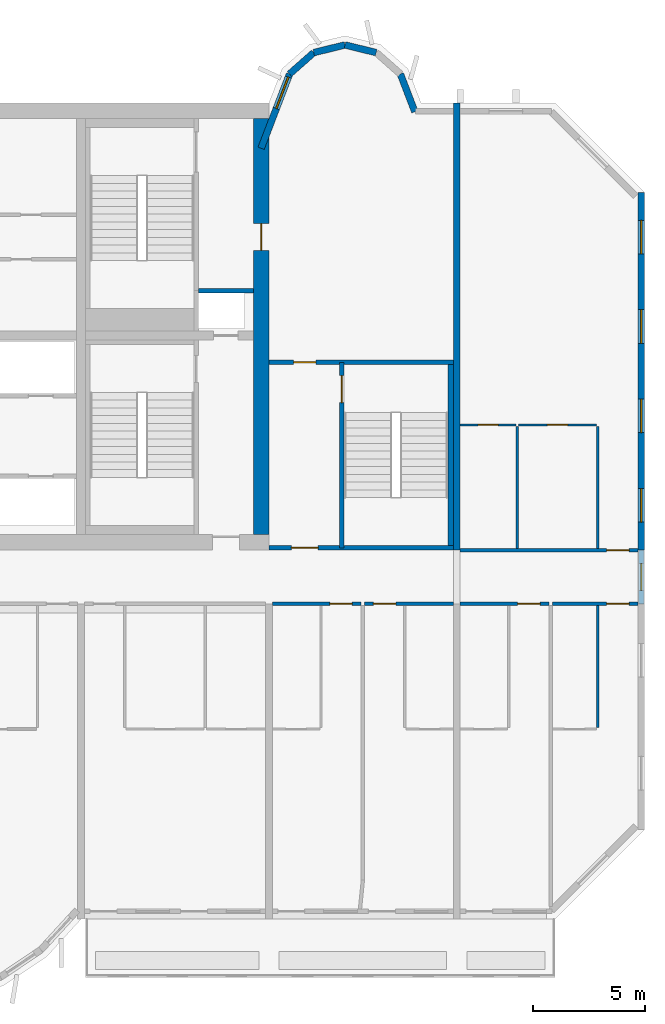
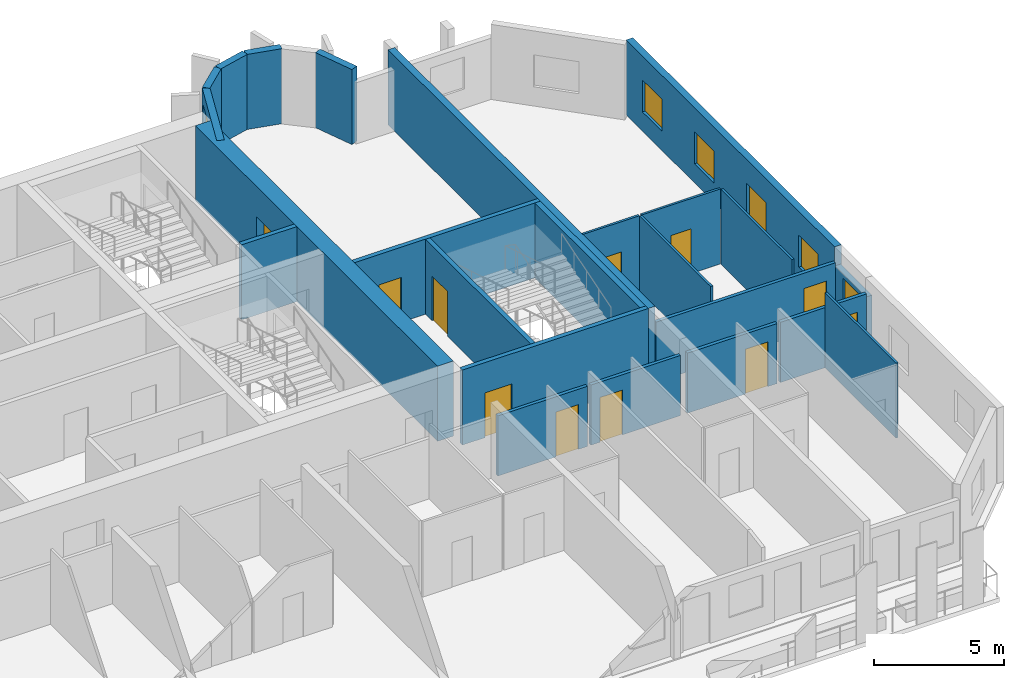
# One storey, part 9 of 13: 24 walls, 11 doors, 6 windows, 17 openings.
"""IFC4 building model written with IfcOpenShell, lengths in metres."""

from ifc_helpers import new_model, si_unit, direction, frame, frame_2d, origin, place, context, subcontext, project, spatial, rectangle, extrude, source, transform, mapped, material, layer, layer_set, type_object, element, fill, save


model = new_model("IFC4")

# Units and contexts
model_context = context("Model", 3, precision=1e-05, world=origin(), true_north=direction((0.0, 1.0)))
body_context = subcontext(model_context, "Body", "Model", "MODEL_VIEW")
ifc_project = project(units=[si_unit("LENGTHUNIT", "METRE"), si_unit("AREAUNIT", "SQUARE_METRE"), si_unit("VOLUMEUNIT", "CUBIC_METRE"), si_unit("PLANEANGLEUNIT", "RADIAN"), si_unit("MASSUNIT", "GRAM", prefix="KILO")], contexts=[model_context])

# Site, building, storey
site_placement = place(None, origin())
site = spatial("IfcSite", under=ifc_project, at=site_placement, CompositionType="ELEMENT")
building_placement = place(site_placement, origin())
building = spatial("IfcBuilding", under=site, at=building_placement, Name="Vanashikhar Sky Hotel", CompositionType="ELEMENT")
storey_placement = place(building_placement, frame((0.0, 0.0, 189.60009765625)))
storey = spatial("IfcBuildingStorey", under=building, at=storey_placement, Name="L46", CompositionType="ELEMENT", Elevation=189.60009765625)

# Wall, opening, door
ifc_material_1 = material(Name="Concrete M60", Category="concrete")
ifc_layer_1 = layer(ifc_material_1, 0.699951171875)
ifc_layer_set_1 = layer_set([ifc_layer_1], Name="RC core shell wall 700 Concrete M60")
wall_type_1 = type_object("IfcWallType", Name="RC core shell wall 700 Concrete M60", PredefinedType="SHEAR", material=ifc_layer_set_1)
shared_shape_1 = source(origin(), body_context, "Body", "SweptSolid", [
    extrude(rectangle(XDim=18.60009765625, YDim=0.699951171875, at=frame_2d((9.300048828125, 0.0))), origin(), (0.0, 0.0, 1.0), 3.52001953125),
])
wall_1_placement = place(storey_placement, frame((75.25, 22.699951171875, 0.0), z_axis=(0.0, 0.0, 1.0), x_axis=(0.0, 1.0, 0.0)))
wall_1 = element("IfcWall", 1, at=wall_1_placement, inside=storey, type_object=wall_type_1, Name="KW-L46-KE", PredefinedType="SHEAR", context=body_context, shape_type="MappedRepresentation", body=[
    mapped(shared_shape_1, transform((0.0, 0.0, 0.0), scale=1.0)),
])
shared_shape_2 = source(origin(), body_context, "Body", "SweptSolid", [
    extrude(rectangle(XDim=1.199951171875, YDim=2.10009765625, at=frame_2d((0.60009765625, 1.050048828125))), frame((0.0, 0.35986328125, 0.0), z_axis=(0.0, -1.0, 0.0), x_axis=(1.0, 0.0, 0.0)), (0.0, 0.0, 1.0), 0.719970703125),
])
opening_1_placement = place(wall_1_placement, frame((12.699951171875, 0.0, 0.0)))
opening_1 = element("IfcOpeningElement", 2, at=opening_1_placement, cuts=wall_1, Name="Opening DC-4-D", PredefinedType="OPENING", context=body_context, shape_type="MappedRepresentation", body=[
    mapped(shared_shape_2, transform((0.0, 0.0, 0.0), scale=1.0)),
])
ifc_material_2 = material(Name="Steel", Category="steel")
door_type_1 = type_object("IfcDoorType", Name="Service door 1200 FD120", OperationType="NOTDEFINED", PredefinedType="DOOR", material=ifc_material_2)
shared_shape_3 = source(origin(), body_context, "Body", "SweptSolid", [
    extrude(rectangle(XDim=1.199951171875, YDim=2.10009765625, at=frame_2d((0.60009765625, 1.050048828125))), frame((0.0, 0.02490234375, 0.0), z_axis=(0.0, -1.0, 0.0), x_axis=(1.0, 0.0, 0.0)), (0.0, 0.0, 1.0), 0.050048828125),
])
door_1_placement = place(opening_1_placement, origin())
door_1 = element("IfcDoor", 3, at=door_1_placement, inside=storey, type_object=door_type_1, Name="Service door 1200 FD120", OperationType="SINGLE_SWING_RIGHT", OverallHeight=2.10009765625, OverallWidth=1.199951171875, PredefinedType="DOOR", context=body_context, shape_type="MappedRepresentation", body=[
    mapped(shared_shape_3, transform((0.0, 0.0, 0.0), scale=1.0)),
])
fill(opening_1, door_1)

# Wall, openings, windows
ifc_layer_2 = layer(ifc_material_1, 0.300048828125)
ifc_layer_set_2 = layer_set([ifc_layer_2], Name="RC shear wall 300 Concrete M60")
wall_type_2 = type_object("IfcWallType", Name="RC shear wall 300 Concrete M60", PredefinedType="SHEAR", material=ifc_layer_set_2)
shared_shape_4 = source(origin(), body_context, "Body", "SweptSolid", [
    extrude(rectangle(XDim=16.0, YDim=0.300048828125, at=frame_2d((8.0, 0.0))), origin(), (0.0, 0.0, 1.0), 3.52001953125),
])
wall_2_placement = place(storey_placement, frame((92.25, 22.0, 0.0), z_axis=(0.0, 0.0, 1.0), x_axis=(0.0, 1.0, 0.0)))
wall_2 = element("IfcWall", 4, at=wall_2_placement, inside=storey, type_object=wall_type_2, Name="CW-L46-XW12-2", PredefinedType="SHEAR", context=body_context, shape_type="MappedRepresentation", body=[
    mapped(shared_shape_4, transform((0.0, 0.0, 0.0), scale=1.0)),
])
shared_shape_5 = source(origin(), body_context, "Body", "SweptSolid", [
    extrude(rectangle(XDim=1.5, YDim=1.5, at=frame_2d((0.75, 0.75))), frame((0.0, 0.16015625, 0.0), z_axis=(0.0, -1.0, 0.0), x_axis=(1.0, 0.0, 0.0)), (0.0, 0.0, 1.0), 0.320068359375),
])
opening_2_placement = place(wall_2_placement, frame((1.25, 0.0, 0.89990234375)))
opening_2 = element("IfcOpeningElement", 5, at=opening_2_placement, cuts=wall_2, Name="Opening WN-1", PredefinedType="OPENING", context=body_context, shape_type="MappedRepresentation", body=[
    mapped(shared_shape_5, transform((0.0, 0.0, 0.0), scale=1.0)),
])
opening_3_placement = place(wall_2_placement, frame((5.25, 0.0, 0.89990234375)))
opening_3 = element("IfcOpeningElement", 6, at=opening_3_placement, cuts=wall_2, Name="Opening WN-1", PredefinedType="OPENING", context=body_context, shape_type="MappedRepresentation", body=[
    mapped(shared_shape_5, transform((0.0, 0.0, 0.0), scale=1.0)),
])
opening_4_placement = place(wall_2_placement, frame((9.25, 0.0, 0.89990234375)))
opening_4 = element("IfcOpeningElement", 7, at=opening_4_placement, cuts=wall_2, Name="Opening WN-1", PredefinedType="OPENING", context=body_context, shape_type="MappedRepresentation", body=[
    mapped(shared_shape_5, transform((0.0, 0.0, 0.0), scale=1.0)),
])
opening_5_placement = place(wall_2_placement, frame((13.25, 0.0, 0.89990234375)))
opening_5 = element("IfcOpeningElement", 8, at=opening_5_placement, cuts=wall_2, Name="Opening WN-1", PredefinedType="OPENING", context=body_context, shape_type="MappedRepresentation", body=[
    mapped(shared_shape_5, transform((0.0, 0.0, 0.0), scale=1.0)),
])
ifc_material_3 = material(Name="Glass", Category="glass")
window_type_1 = type_object("IfcWindowType", Name="Window 1500 x 1500", PartitioningType="SINGLE_PANEL", PredefinedType="WINDOW", material=ifc_material_3)
shared_shape_6 = source(origin(), body_context, "Body", "SweptSolid", [
    extrude(rectangle(XDim=1.5, YDim=1.5, at=frame_2d((0.75, 0.75))), frame((0.0, 0.030029296875, 0.0), z_axis=(0.0, -1.0, 0.0), x_axis=(1.0, 0.0, 0.0)), (0.0, 0.0, 1.0), 0.06005859375),
])
window_1_placement = place(opening_2_placement, origin())
window_1 = element("IfcWindow", 9, at=window_1_placement, inside=storey, type_object=window_type_1, Name="Window WN-1", OverallHeight=1.5, OverallWidth=1.5, PartitioningType="SINGLE_PANEL", PredefinedType="WINDOW", context=body_context, shape_type="MappedRepresentation", body=[
    mapped(shared_shape_6, transform((0.0, 0.0, 0.0), scale=1.0)),
])
fill(opening_2, window_1)
window_2_placement = place(opening_3_placement, origin())
window_2 = element("IfcWindow", 10, at=window_2_placement, inside=storey, type_object=window_type_1, Name="Window WN-1", OverallHeight=1.5, OverallWidth=1.5, PartitioningType="SINGLE_PANEL", PredefinedType="WINDOW", context=body_context, shape_type="MappedRepresentation", body=[
    mapped(shared_shape_6, transform((0.0, 0.0, 0.0), scale=1.0)),
])
fill(opening_3, window_2)
window_3_placement = place(opening_4_placement, origin())
window_3 = element("IfcWindow", 11, at=window_3_placement, inside=storey, type_object=window_type_1, Name="Window WN-1", OverallHeight=1.5, OverallWidth=1.5, PartitioningType="SINGLE_PANEL", PredefinedType="WINDOW", context=body_context, shape_type="MappedRepresentation", body=[
    mapped(shared_shape_6, transform((0.0, 0.0, 0.0), scale=1.0)),
])
fill(opening_4, window_3)
window_4_placement = place(opening_5_placement, origin())
window_4 = element("IfcWindow", 12, at=window_4_placement, inside=storey, type_object=window_type_1, Name="Window WN-1", OverallHeight=1.5, OverallWidth=1.5, PartitioningType="SINGLE_PANEL", PredefinedType="WINDOW", context=body_context, shape_type="MappedRepresentation", body=[
    mapped(shared_shape_6, transform((0.0, 0.0, 0.0), scale=1.0)),
])
fill(opening_5, window_4)

# Wall
shared_shape_7 = source(origin(), body_context, "Body", "SweptSolid", [
    extrude(rectangle(XDim=20.0, YDim=0.300048828125, at=frame_2d((10.0, 0.0))), origin(), (0.0, 0.0, 1.0), 3.52001953125),
])
wall_3_placement = place(storey_placement, frame((84.0, 22.0, 0.0), z_axis=(0.0, 0.0, 1.0), x_axis=(0.0, 1.0, 0.0)))
element("IfcWall", 13, at=wall_3_placement, inside=storey, type_object=wall_type_2, Name="CW-L46-XW11-2", PredefinedType="SHEAR", context=body_context, shape_type="MappedRepresentation", body=[
    mapped(shared_shape_7, transform((0.0, 0.0, 0.0), scale=1.0)),
])

# Wall, opening, window
ifc_material_4 = material(Name="Concrete M50", Category="concrete")
ifc_layer_3 = layer(ifc_material_4, 0.300048828125)
ifc_layer_set_3 = layer_set([ifc_layer_3], Name="Lobe wall 300")
wall_type_3 = type_object("IfcWallType", Name="Lobe wall 300", PredefinedType="SOLIDWALL", material=ifc_layer_set_3)
shared_shape_8 = source(origin(), body_context, "Body", "SweptSolid", [
    extrude(rectangle(XDim=3.55908203125, YDim=0.300048828125, at=frame_2d((1.779541015625, 0.0))), origin(), (0.0, 0.0, 1.0), 3.52001953125),
])
wall_4_placement = place(storey_placement, frame((76.5234375, 43.2919921875, 0.0), z_axis=(0.0, 0.0, 1.0), x_axis=(-0.35779745313, -0.933799219604, 0.0)))
wall_4 = element("IfcWall", 14, at=wall_4_placement, inside=storey, type_object=wall_type_3, Name="Lobe wall", PredefinedType="SOLIDWALL", context=body_context, shape_type="MappedRepresentation", body=[
    mapped(shared_shape_8, transform((0.0, 0.0, 0.0), scale=1.0)),
])
shared_shape_9 = source(origin(), body_context, "Body", "SweptSolid", [
    extrude(rectangle(XDim=1.5, YDim=2.0, at=frame_2d((0.75, 1.0))), frame((0.0, 0.16015625, 0.0), z_axis=(0.0, -1.0, 0.0), x_axis=(1.0, 0.0, 0.0)), (0.0, 0.0, 1.0), 0.320068359375),
])
opening_6_placement = place(wall_4_placement, frame((0.156005859375, 0.0, 0.89990234375)))
opening_6 = element("IfcOpeningElement", 15, at=opening_6_placement, cuts=wall_4, Name="Opening WN-2", PredefinedType="OPENING", context=body_context, shape_type="MappedRepresentation", body=[
    mapped(shared_shape_9, transform((0.0, 0.0, 0.0), scale=1.0)),
])
window_type_2 = type_object("IfcWindowType", Name="Lobe window 1500 x 2000", PartitioningType="SINGLE_PANEL", PredefinedType="WINDOW", material=ifc_material_3)
shared_shape_10 = source(origin(), body_context, "Body", "SweptSolid", [
    extrude(rectangle(XDim=1.5, YDim=2.0, at=frame_2d((0.75, 1.0))), frame((0.0, 0.030029296875, 0.0), z_axis=(0.0, -1.0, 0.0), x_axis=(1.0, 0.0, 0.0)), (0.0, 0.0, 1.0), 0.06005859375),
])
window_5_placement = place(opening_6_placement, origin())
window_5 = element("IfcWindow", 16, at=window_5_placement, inside=storey, type_object=window_type_2, Name="Window WN-2", OverallHeight=2.0, OverallWidth=1.5, PartitioningType="SINGLE_PANEL", PredefinedType="WINDOW", context=body_context, shape_type="MappedRepresentation", body=[
    mapped(shared_shape_10, transform((0.0, 0.0, 0.0), scale=1.0)),
])
fill(opening_6, window_5)

# Walls
shared_shape_11 = source(origin(), body_context, "Body", "SweptSolid", [
    extrude(rectangle(XDim=1.438720703125, YDim=0.300048828125, at=frame_2d((0.71923828125, 0.0))), origin(), (0.0, 0.0, 1.0), 3.52001953125),
])
for number, where, z_axis, x_axis, name in (
    (17, (80.397216796875, 44.2451171875, 0.0), (0.0, 0.0, 1.0), (-0.971161932466, 0.238420848351, 0.0), "Lobe wall"),
    (18, (79.0, 44.588134765625, 0.0), (0.0, 0.0, 1.0), (-0.971161932466, -0.238420848351, 0.0), "Lobe wall"),
):
    element("IfcWall", number, at=place(storey_placement, frame(where, z_axis=z_axis, x_axis=x_axis)), inside=storey, type_object=wall_type_3, Name=name, PredefinedType="SOLIDWALL", context=body_context, shape_type="MappedRepresentation", body=[
        mapped(shared_shape_11, transform((0.0, 0.0, 0.0), scale=1.0)),
    ])
shared_shape_12 = source(origin(), body_context, "Body", "SweptSolid", [
    extrude(rectangle(XDim=1.43994140625, YDim=0.300048828125, at=frame_2d((0.719970703125, 0.0))), origin(), (0.0, 0.0, 1.0), 3.52001953125),
])
wall_5_placement = place(storey_placement, frame((77.602783203125, 44.2451171875, 0.0), z_axis=(0.0, 0.0, 1.0), x_axis=(-0.74957555648, -0.661918790432, 0.0)))
element("IfcWall", 19, at=wall_5_placement, inside=storey, type_object=wall_type_3, Name="Lobe wall", PredefinedType="SOLIDWALL", context=body_context, shape_type="MappedRepresentation", body=[
    mapped(shared_shape_12, transform((0.0, 0.0, 0.0), scale=1.0)),
])
shared_shape_13 = source(origin(), body_context, "Body", "SweptSolid", [
    extrude(rectangle(XDim=1.81201171875, YDim=0.300048828125, at=frame_2d((0.906005859375, 0.0))), origin(), (0.0, 0.0, 1.0), 3.52001953125),
])
wall_6_placement = place(storey_placement, frame((82.125, 41.60009765625, 0.0), z_axis=(0.0, 0.0, 1.0), x_axis=(-0.357877270961, 0.93376863244, 0.0)))
element("IfcWall", 20, at=wall_6_placement, inside=storey, type_object=wall_type_3, Name="Lobe wall", PredefinedType="SOLIDWALL", context=body_context, shape_type="MappedRepresentation", body=[
    mapped(shared_shape_13, transform((0.0, 0.0, 0.0), scale=1.0)),
])

# Wall, opening, window
ifc_layer_4 = layer(ifc_material_4, 0.25)
ifc_layer_set_4 = layer_set([ifc_layer_4], Name="Rear and end board-marked wall 250")
wall_type_4 = type_object("IfcWallType", Name="Rear and end board-marked wall 250", PredefinedType="SOLIDWALL", material=ifc_layer_set_4)
shared_shape_14 = source(origin(), body_context, "Body", "SweptSolid", [
    extrude(rectangle(XDim=2.39990234375, YDim=0.25, at=frame_2d((1.199951171875, 0.0))), origin(), (0.0, 0.0, 1.0), 2.619873046875),
])
wall_7_placement = place(storey_placement, frame((92.25, 19.60009765625, 0.0), z_axis=(0.0, 0.0, 1.0), x_axis=(0.0, 1.0, 0.0)))
wall_7 = element("IfcWall", 21, at=wall_7_placement, inside=storey, type_object=wall_type_4, Name="End corridor infill wall", PredefinedType="SOLIDWALL", context=body_context, shape_type="MappedRepresentation", body=[
    mapped(shared_shape_14, transform((0.0, 0.0, 0.0), scale=1.0)),
])
shared_shape_15 = source(origin(), body_context, "Body", "SweptSolid", [
    extrude(rectangle(XDim=1.199951171875, YDim=1.5, at=frame_2d((0.60009765625, 0.75))), frame((0.0, 0.135009765625, 0.0), z_axis=(0.0, -1.0, 0.0), x_axis=(1.0, 0.0, 0.0)), (0.0, 0.0, 1.0), 0.27001953125),
])
opening_7_placement = place(wall_7_placement, frame((0.60009765625, 0.0, 0.89990234375)))
opening_7 = element("IfcOpeningElement", 22, at=opening_7_placement, cuts=wall_7, Name="Opening WN-3", PredefinedType="OPENING", context=body_context, shape_type="MappedRepresentation", body=[
    mapped(shared_shape_15, transform((0.0, 0.0, 0.0), scale=1.0)),
])
window_type_3 = type_object("IfcWindowType", Name="Corridor end window 1200 x 1500", PartitioningType="SINGLE_PANEL", PredefinedType="WINDOW", material=ifc_material_3)
shared_shape_16 = source(origin(), body_context, "Body", "SweptSolid", [
    extrude(rectangle(XDim=1.199951171875, YDim=1.5, at=frame_2d((0.60009765625, 0.75))), frame((0.0, 0.030029296875, 0.0), z_axis=(0.0, -1.0, 0.0), x_axis=(1.0, 0.0, 0.0)), (0.0, 0.0, 1.0), 0.06005859375),
])
window_6_placement = place(opening_7_placement, origin())
window_6 = element("IfcWindow", 23, at=window_6_placement, inside=storey, type_object=window_type_3, Name="Window WN-3", OverallHeight=1.5, OverallWidth=1.199951171875, PartitioningType="SINGLE_PANEL", PredefinedType="WINDOW", context=body_context, shape_type="MappedRepresentation", body=[
    mapped(shared_shape_16, transform((0.0, 0.0, 0.0), scale=1.0)),
])
fill(opening_7, window_6)

# Wall, opening, door
ifc_layer_5 = layer(ifc_material_4, 0.199951171875)
ifc_layer_set_5 = layer_set([ifc_layer_5], Name="Stair wall 200")
wall_type_5 = type_object("IfcWallType", Name="Stair wall 200", PredefinedType="SOLIDWALL", material=ifc_layer_set_5)
shared_shape_17 = source(origin(), body_context, "Body", "SweptSolid", [
    extrude(rectangle(XDim=8.2998046875, YDim=0.199951171875, at=frame_2d((4.14990234375, 0.0))), origin(), (0.0, 0.0, 1.0), 3.52001953125),
])
wall_8_placement = place(storey_placement, frame((78.85009765625, 22.10009765625, 0.0), z_axis=(0.0, 0.0, 1.0), x_axis=(0.0, 1.0, 0.0)))
wall_8 = element("IfcWall", 24, at=wall_8_placement, inside=storey, type_object=wall_type_5, Name="Stair wall 200", PredefinedType="SOLIDWALL", context=body_context, shape_type="MappedRepresentation", body=[
    mapped(shared_shape_17, transform((0.0, 0.0, 0.0), scale=1.0)),
])
shared_shape_18 = source(origin(), body_context, "Body", "SweptSolid", [
    extrude(rectangle(XDim=1.199951171875, YDim=2.10009765625, at=frame_2d((0.60009765625, 1.050048828125))), frame((0.0, 0.10986328125, 0.0), z_axis=(0.0, -1.0, 0.0), x_axis=(1.0, 0.0, 0.0)), (0.0, 0.0, 1.0), 0.219970703125),
])
opening_8_placement = place(wall_8_placement, frame((6.5, 0.0, 0.0)))
opening_8 = element("IfcOpeningElement", 25, at=opening_8_placement, cuts=wall_8, Name="Opening DC-1", PredefinedType="OPENING", context=body_context, shape_type="MappedRepresentation", body=[
    mapped(shared_shape_18, transform((0.0, 0.0, 0.0), scale=1.0)),
])
door_type_2 = type_object("IfcDoorType", Name="Stair door 1200 FD120", OperationType="NOTDEFINED", PredefinedType="DOOR", material=ifc_material_2)
door_2_placement = place(opening_8_placement, origin())
door_2 = element("IfcDoor", 26, at=door_2_placement, inside=storey, type_object=door_type_2, Name="Stair door 1200 FD120", OperationType="SINGLE_SWING_RIGHT", OverallHeight=2.10009765625, OverallWidth=1.199951171875, PredefinedType="DOOR", context=body_context, shape_type="MappedRepresentation", body=[
    mapped(shared_shape_3, transform((0.0, 0.0, 0.0), scale=1.0)),
])
fill(opening_8, door_2)

# Wall
ifc_material_5 = material(Name="Concrete M40", Category="concrete")
ifc_layer_6 = layer(ifc_material_5, 0.199951171875)
ifc_layer_set_6 = layer_set([ifc_layer_6], Name="Shaft wall 200")
wall_type_6 = type_object("IfcWallType", Name="Shaft wall 200", PredefinedType="SOLIDWALL", material=ifc_layer_set_6)
shared_shape_19 = source(origin(), body_context, "Body", "SweptSolid", [
    extrude(rectangle(XDim=2.449951171875, YDim=0.199951171875, at=frame_2d((1.22509765625, 0.0))), origin(), (0.0, 0.0, 1.0), 3.52001953125),
])
wall_9_placement = place(storey_placement, frame((72.449951171875, 33.60009765625, 0.0), z_axis=(0.0, 0.0, 1.0), x_axis=(1.0, 0.0, 0.0)))
element("IfcWall", 27, at=wall_9_placement, inside=storey, type_object=wall_type_6, Name="Shaft wall 200", PredefinedType="SOLIDWALL", context=body_context, shape_type="MappedRepresentation", body=[
    mapped(shared_shape_19, transform((0.0, 0.0, 0.0), scale=1.0)),
])

# Wall, opening, door
shared_shape_20 = source(origin(), body_context, "Body", "SweptSolid", [
    extrude(rectangle(XDim=8.25, YDim=0.199951171875, at=frame_2d((4.125, 0.0))), origin(), (0.0, 0.0, 1.0), 3.52001953125),
])
wall_10_placement = place(storey_placement, frame((83.85009765625, 22.10009765625, 0.0), z_axis=(0.0, 0.0, 1.0), x_axis=(-1.0, 0.0, 0.0)))
wall_10 = element("IfcWall", 28, at=wall_10_placement, inside=storey, type_object=wall_type_5, Name="Stair wall 200", PredefinedType="SOLIDWALL", context=body_context, shape_type="MappedRepresentation", body=[
    mapped(shared_shape_20, transform((0.0, 0.0, 0.0), scale=1.0)),
])
opening_9_placement = place(wall_10_placement, frame((6.050048828125, 0.0, 0.0)))
opening_9 = element("IfcOpeningElement", 29, at=opening_9_placement, cuts=wall_10, Name="Opening DC-2", PredefinedType="OPENING", context=body_context, shape_type="MappedRepresentation", body=[
    mapped(shared_shape_18, transform((0.0, 0.0, 0.0), scale=1.0)),
])
door_type_3 = type_object("IfcDoorType", Name="Firefighting lobby door 1200 FD120", OperationType="NOTDEFINED", PredefinedType="DOOR", material=ifc_material_2)
door_3_placement = place(opening_9_placement, origin())
door_3 = element("IfcDoor", 30, at=door_3_placement, inside=storey, type_object=door_type_3, Name="Firefighting lobby door 1200 FD120", OperationType="SINGLE_SWING_RIGHT", OverallHeight=2.10009765625, OverallWidth=1.199951171875, PredefinedType="DOOR", context=body_context, shape_type="MappedRepresentation", body=[
    mapped(shared_shape_3, transform((0.0, 0.0, 0.0), scale=1.0)),
])
fill(opening_9, door_3)

wall_11_placement = place(storey_placement, frame((83.85009765625, 30.39990234375, 0.0), z_axis=(0.0, 0.0, 1.0), x_axis=(-1.0, 0.0, 0.0)))
wall_11 = element("IfcWall", 31, at=wall_11_placement, inside=storey, type_object=wall_type_5, Name="Stair wall 200", PredefinedType="SOLIDWALL", context=body_context, shape_type="MappedRepresentation", body=[
    mapped(shared_shape_20, transform((0.0, 0.0, 0.0), scale=1.0)),
])
shared_shape_21 = source(origin(), body_context, "Body", "SweptSolid", [
    extrude(rectangle(XDim=1.0, YDim=2.10009765625, at=frame_2d((0.5, 1.050048828125))), frame((0.0, 0.10986328125, 0.0), z_axis=(0.0, -1.0, 0.0), x_axis=(1.0, 0.0, 0.0)), (0.0, 0.0, 1.0), 0.219970703125),
])
opening_10_placement = place(wall_11_placement, frame((6.14990234375, 0.0, 0.0)))
opening_10 = element("IfcOpeningElement", 32, at=opening_10_placement, cuts=wall_11, Name="Opening DC-6", PredefinedType="OPENING", context=body_context, shape_type="MappedRepresentation", body=[
    mapped(shared_shape_21, transform((0.0, 0.0, 0.0), scale=1.0)),
])
door_type_4 = type_object("IfcDoorType", Name="Pocket door 1000 FD60", OperationType="NOTDEFINED", PredefinedType="DOOR", material=ifc_material_2)
shared_shape_22 = source(origin(), body_context, "Body", "SweptSolid", [
    extrude(rectangle(XDim=1.0, YDim=2.10009765625, at=frame_2d((0.5, 1.050048828125))), frame((0.0, 0.02490234375, 0.0), z_axis=(0.0, -1.0, 0.0), x_axis=(1.0, 0.0, 0.0)), (0.0, 0.0, 1.0), 0.050048828125),
])
door_4_placement = place(opening_10_placement, origin())
door_4 = element("IfcDoor", 33, at=door_4_placement, inside=storey, type_object=door_type_4, Name="Pocket door 1000 FD60", OperationType="SINGLE_SWING_RIGHT", OverallHeight=2.10009765625, OverallWidth=1.0, PredefinedType="DOOR", context=body_context, shape_type="MappedRepresentation", body=[
    mapped(shared_shape_22, transform((0.0, 0.0, 0.0), scale=1.0)),
])
fill(opening_10, door_4)

# Wall
ifc_layer_7 = layer(ifc_material_4, 0.25)
ifc_layer_set_7 = layer_set([ifc_layer_7], Name="Stair infill wall 250")
wall_type_7 = type_object("IfcWallType", Name="Stair infill wall 250", PredefinedType="SOLIDWALL", material=ifc_layer_set_7)
shared_shape_23 = source(origin(), body_context, "Body", "SweptSolid", [
    extrude(rectangle(XDim=8.10009765625, YDim=0.25, at=frame_2d((4.050048828125, 0.0))), origin(), (0.0, 0.0, 1.0), 3.52001953125),
])
wall_12_placement = place(storey_placement, frame((83.72509765625, 22.199951171875, 0.0), z_axis=(0.0, 0.0, 1.0), x_axis=(0.0, 1.0, 0.0)))
element("IfcWall", 34, at=wall_12_placement, inside=storey, type_object=wall_type_7, Name="Stair infill wall 250", PredefinedType="SOLIDWALL", context=body_context, shape_type="MappedRepresentation", body=[
    mapped(shared_shape_23, transform((0.0, 0.0, 0.0), scale=1.0)),
])

# Wall, opening, door
ifc_material_6 = material(Name="Gypsum plasterboard partition")
ifc_layer_8 = layer(ifc_material_6, 0.10009765625)
ifc_layer_set_8 = layer_set([ifc_layer_8], Name="Wet room partition 100")
wall_type_8 = type_object("IfcWallType", Name="Wet room partition 100", PredefinedType="PARTITIONING", material=ifc_layer_set_8)
shared_shape_24 = source(origin(), body_context, "Body", "SweptSolid", [
    extrude(rectangle(XDim=3.5, YDim=0.10009765625, at=frame_2d((1.75, 0.0))), origin(), (0.0, 0.0, 1.0), 3.52001953125),
])
wall_13_placement = place(storey_placement, frame((86.75, 27.60009765625, 0.0), z_axis=(0.0, 0.0, 1.0), x_axis=(1.0, 0.0, 0.0)))
wall_13 = element("IfcWall", 35, at=wall_13_placement, inside=storey, type_object=wall_type_8, Name="W-L46-PW067", PredefinedType="PARTITIONING", context=body_context, shape_type="MappedRepresentation", body=[
    mapped(shared_shape_24, transform((0.0, 0.0, 0.0), scale=1.0)),
])
shared_shape_25 = source(origin(), body_context, "Body", "SweptSolid", [
    extrude(rectangle(XDim=0.89990234375, YDim=2.10009765625, at=frame_2d((0.449951171875, 1.050048828125))), frame((0.0, 0.06005859375, 0.0), z_axis=(0.0, -1.0, 0.0), x_axis=(1.0, 0.0, 0.0)), (0.0, 0.0, 1.0), 0.1201171875),
])
opening_11_placement = place(wall_13_placement, frame((1.300048828125, 0.0, 0.0)))
opening_11 = element("IfcOpeningElement", 36, at=opening_11_placement, cuts=wall_13, Name="Opening D-02", PredefinedType="OPENING", context=body_context, shape_type="MappedRepresentation", body=[
    mapped(shared_shape_25, transform((0.0, 0.0, 0.0), scale=1.0)),
])
ifc_material_7 = material(Name="Timber door", Category="wood")
door_type_5 = type_object("IfcDoorType", Name="Internal door 900", OperationType="NOTDEFINED", PredefinedType="DOOR", material=ifc_material_7)
shared_shape_26 = source(origin(), body_context, "Body", "SweptSolid", [
    extrude(rectangle(XDim=0.89990234375, YDim=2.10009765625, at=frame_2d((0.449951171875, 1.050048828125))), frame((0.0, 0.02490234375, 0.0), z_axis=(0.0, -1.0, 0.0), x_axis=(1.0, 0.0, 0.0)), (0.0, 0.0, 1.0), 0.050048828125),
])
door_5_placement = place(opening_11_placement, origin())
door_5 = element("IfcDoor", 37, at=door_5_placement, inside=storey, type_object=door_type_5, Name="D-L46-038", OperationType="SINGLE_SWING_RIGHT", OverallHeight=2.10009765625, OverallWidth=0.89990234375, PredefinedType="DOOR", context=body_context, shape_type="MappedRepresentation", body=[
    mapped(shared_shape_26, transform((0.0, 0.0, 0.0), scale=1.0)),
])
fill(opening_11, door_5)

shared_shape_27 = source(origin(), body_context, "Body", "SweptSolid", [
    extrude(rectangle(XDim=2.5, YDim=0.10009765625, at=frame_2d((1.25, 0.0))), origin(), (0.0, 0.0, 1.0), 3.52001953125),
])
wall_14_placement = place(storey_placement, frame((84.14990234375, 27.60009765625, 0.0), z_axis=(0.0, 0.0, 1.0), x_axis=(1.0, 0.0, 0.0)))
wall_14 = element("IfcWall", 38, at=wall_14_placement, inside=storey, type_object=wall_type_8, Name="W-L46-PW068", PredefinedType="PARTITIONING", context=body_context, shape_type="MappedRepresentation", body=[
    mapped(shared_shape_27, transform((0.0, 0.0, 0.0), scale=1.0)),
])
opening_12_placement = place(wall_14_placement, frame((0.800048828125, 0.0, 0.0)))
opening_12 = element("IfcOpeningElement", 39, at=opening_12_placement, cuts=wall_14, Name="Opening D-02", PredefinedType="OPENING", context=body_context, shape_type="MappedRepresentation", body=[
    mapped(shared_shape_25, transform((0.0, 0.0, 0.0), scale=1.0)),
])
door_6_placement = place(opening_12_placement, origin())
door_6 = element("IfcDoor", 40, at=door_6_placement, inside=storey, type_object=door_type_5, Name="D-L46-039", OperationType="SINGLE_SWING_RIGHT", OverallHeight=2.10009765625, OverallWidth=0.89990234375, PredefinedType="DOOR", context=body_context, shape_type="MappedRepresentation", body=[
    mapped(shared_shape_26, transform((0.0, 0.0, 0.0), scale=1.0)),
])
fill(opening_12, door_6)

# Walls
shared_shape_28 = source(origin(), body_context, "Body", "SweptSolid", [
    extrude(rectangle(XDim=5.449951171875, YDim=0.10009765625, at=frame_2d((2.72509765625, 0.0))), origin(), (0.0, 0.0, 1.0), 3.52001953125),
])
for number, where, z_axis, x_axis, name in (
    (41, (90.300048828125, 14.074951171875, 0.0), (0.0, 0.0, 1.0), (0.0, 1.0, 0.0), "W-L46-PW054"),
    (42, (90.300048828125, 22.074951171875, 0.0), (0.0, 0.0, 1.0), (0.0, 1.0, 0.0), "W-L46-PW065"),
    (43, (86.699951171875, 22.074951171875, 0.0), (0.0, 0.0, 1.0), (0.0, 1.0, 0.0), "W-L46-PW066"),
):
    element("IfcWall", number, at=place(storey_placement, frame(where, z_axis=z_axis, x_axis=x_axis)), inside=storey, type_object=wall_type_8, Name=name, PredefinedType="PARTITIONING", context=body_context, shape_type="MappedRepresentation", body=[
        mapped(shared_shape_28, transform((0.0, 0.0, 0.0), scale=1.0)),
    ])

# Wall, opening, door
ifc_layer_9 = layer(ifc_material_6, 0.14990234375)
ifc_layer_set_9 = layer_set([ifc_layer_9], Name="Corridor and demising partition 150")
wall_type_9 = type_object("IfcWallType", Name="Corridor and demising partition 150", PredefinedType="PARTITIONING", material=ifc_layer_set_9)
shared_shape_29 = source(origin(), body_context, "Body", "SweptSolid", [
    extrude(rectangle(XDim=3.97509765625, YDim=0.14990234375, at=frame_2d((1.987548828125, 0.0))), origin(), (0.0, 0.0, 1.0), 2.81982421875),
])
wall_15_placement = place(storey_placement, frame((75.75, 19.60009765625, 0.0), z_axis=(0.0, 0.0, 1.0), x_axis=(1.0, 0.0, 0.0)))
wall_15 = element("IfcWall", 44, at=wall_15_placement, inside=storey, type_object=wall_type_9, Name="W-L46-PW046", PredefinedType="PARTITIONING", context=body_context, shape_type="MappedRepresentation", body=[
    mapped(shared_shape_29, transform((0.0, 0.0, 0.0), scale=1.0)),
])
shared_shape_30 = source(origin(), body_context, "Body", "SweptSolid", [
    extrude(rectangle(XDim=1.0, YDim=2.10009765625, at=frame_2d((0.5, 1.050048828125))), frame((0.0, 0.0849609375, 0.0), z_axis=(0.0, -1.0, 0.0), x_axis=(1.0, 0.0, 0.0)), (0.0, 0.0, 1.0), 0.169921875),
])
opening_13_placement = place(wall_15_placement, frame((2.574951171875, 0.0, 0.0)))
opening_13 = element("IfcOpeningElement", 45, at=opening_13_placement, cuts=wall_15, Name="Opening D-01", PredefinedType="OPENING", context=body_context, shape_type="MappedRepresentation", body=[
    mapped(shared_shape_30, transform((0.0, 0.0, 0.0), scale=1.0)),
])
ifc_material_8 = material(Name="Timber fire door", Category="wood")
door_type_6 = type_object("IfcDoorType", Name="Guest entry door 1000 FD30S", OperationType="NOTDEFINED", PredefinedType="DOOR", material=ifc_material_8)
door_7_placement = place(opening_13_placement, origin())
door_7 = element("IfcDoor", 46, at=door_7_placement, inside=storey, type_object=door_type_6, Name="D-L46-028", OperationType="SINGLE_SWING_RIGHT", OverallHeight=2.10009765625, OverallWidth=1.0, PredefinedType="DOOR", context=body_context, shape_type="MappedRepresentation", body=[
    mapped(shared_shape_22, transform((0.0, 0.0, 0.0), scale=1.0)),
])
fill(opening_13, door_7)

wall_16_placement = place(storey_placement, frame((79.875, 19.60009765625, 0.0), z_axis=(0.0, 0.0, 1.0), x_axis=(1.0, 0.0, 0.0)))
wall_16 = element("IfcWall", 47, at=wall_16_placement, inside=storey, type_object=wall_type_9, Name="W-L46-PW049", PredefinedType="PARTITIONING", context=body_context, shape_type="MappedRepresentation", body=[
    mapped(shared_shape_29, transform((0.0, 0.0, 0.0), scale=1.0)),
])
opening_14_placement = place(wall_16_placement, frame((0.39990234375, 0.0, 0.0)))
opening_14 = element("IfcOpeningElement", 48, at=opening_14_placement, cuts=wall_16, Name="Opening D-01", PredefinedType="OPENING", context=body_context, shape_type="MappedRepresentation", body=[
    mapped(shared_shape_30, transform((0.0, 0.0, 0.0), scale=1.0)),
])
door_8_placement = place(opening_14_placement, origin())
door_8 = element("IfcDoor", 49, at=door_8_placement, inside=storey, type_object=door_type_6, Name="D-L46-030", OperationType="SINGLE_SWING_LEFT", OverallHeight=2.10009765625, OverallWidth=1.0, PredefinedType="DOOR", context=body_context, shape_type="MappedRepresentation", body=[
    mapped(shared_shape_22, transform((0.0, 0.0, 0.0), scale=1.0)),
])
fill(opening_14, door_8)

wall_17_placement = place(storey_placement, frame((84.14990234375, 19.60009765625, 0.0), z_axis=(0.0, 0.0, 1.0), x_axis=(1.0, 0.0, 0.0)))
wall_17 = element("IfcWall", 50, at=wall_17_placement, inside=storey, type_object=wall_type_9, Name="W-L46-PW053", PredefinedType="PARTITIONING", context=body_context, shape_type="MappedRepresentation", body=[
    mapped(shared_shape_29, transform((0.0, 0.0, 0.0), scale=1.0)),
])
opening_15_placement = place(wall_17_placement, frame((2.574951171875, 0.0, 0.0)))
opening_15 = element("IfcOpeningElement", 51, at=opening_15_placement, cuts=wall_17, Name="Opening D-01", PredefinedType="OPENING", context=body_context, shape_type="MappedRepresentation", body=[
    mapped(shared_shape_30, transform((0.0, 0.0, 0.0), scale=1.0)),
])
door_9_placement = place(opening_15_placement, origin())
door_9 = element("IfcDoor", 52, at=door_9_placement, inside=storey, type_object=door_type_6, Name="D-L46-032", OperationType="SINGLE_SWING_RIGHT", OverallHeight=2.10009765625, OverallWidth=1.0, PredefinedType="DOOR", context=body_context, shape_type="MappedRepresentation", body=[
    mapped(shared_shape_22, transform((0.0, 0.0, 0.0), scale=1.0)),
])
fill(opening_15, door_9)

shared_shape_31 = source(origin(), body_context, "Body", "SweptSolid", [
    extrude(rectangle(XDim=3.8251953125, YDim=0.14990234375, at=frame_2d((1.91259765625, 0.0))), origin(), (0.0, 0.0, 1.0), 2.81982421875),
])
wall_18_placement = place(storey_placement, frame((88.27490234375, 19.60009765625, 0.0), z_axis=(0.0, 0.0, 1.0), x_axis=(1.0, 0.0, 0.0)))
wall_18 = element("IfcWall", 53, at=wall_18_placement, inside=storey, type_object=wall_type_9, Name="W-L46-PW056", PredefinedType="PARTITIONING", context=body_context, shape_type="MappedRepresentation", body=[
    mapped(shared_shape_31, transform((0.0, 0.0, 0.0), scale=1.0)),
])
opening_16_placement = place(wall_18_placement, frame((2.425048828125, 0.0, 0.0)))
opening_16 = element("IfcOpeningElement", 54, at=opening_16_placement, cuts=wall_18, Name="Opening D-01", PredefinedType="OPENING", context=body_context, shape_type="MappedRepresentation", body=[
    mapped(shared_shape_30, transform((0.0, 0.0, 0.0), scale=1.0)),
])
door_10_placement = place(opening_16_placement, origin())
door_10 = element("IfcDoor", 55, at=door_10_placement, inside=storey, type_object=door_type_6, Name="D-L46-034", OperationType="SINGLE_SWING_RIGHT", OverallHeight=2.10009765625, OverallWidth=1.0, PredefinedType="DOOR", context=body_context, shape_type="MappedRepresentation", body=[
    mapped(shared_shape_22, transform((0.0, 0.0, 0.0), scale=1.0)),
])
fill(opening_16, door_10)

shared_shape_32 = source(origin(), body_context, "Body", "SweptSolid", [
    extrude(rectangle(XDim=7.9501953125, YDim=0.14990234375, at=frame_2d((3.97509765625, 0.0))), origin(), (0.0, 0.0, 1.0), 2.81982421875),
])
wall_19_placement = place(storey_placement, frame((84.14990234375, 22.0, 0.0), z_axis=(0.0, 0.0, 1.0), x_axis=(1.0, 0.0, 0.0)))
wall_19 = element("IfcWall", 56, at=wall_19_placement, inside=storey, type_object=wall_type_9, Name="W-L46-PW069", PredefinedType="PARTITIONING", context=body_context, shape_type="MappedRepresentation", body=[
    mapped(shared_shape_32, transform((0.0, 0.0, 0.0), scale=1.0)),
])
opening_17_placement = place(wall_19_placement, frame((6.550048828125, 0.0, 0.0)))
opening_17 = element("IfcOpeningElement", 57, at=opening_17_placement, cuts=wall_19, Name="Opening D-01", PredefinedType="OPENING", context=body_context, shape_type="MappedRepresentation", body=[
    mapped(shared_shape_30, transform((0.0, 0.0, 0.0), scale=1.0)),
])
door_11_placement = place(opening_17_placement, origin())
door_11 = element("IfcDoor", 58, at=door_11_placement, inside=storey, type_object=door_type_6, Name="D-L46-040", OperationType="SINGLE_SWING_RIGHT", OverallHeight=2.10009765625, OverallWidth=1.0, PredefinedType="DOOR", context=body_context, shape_type="MappedRepresentation", body=[
    mapped(shared_shape_22, transform((0.0, 0.0, 0.0), scale=1.0)),
])
fill(opening_17, door_11)

save(model, "model.ifc")
